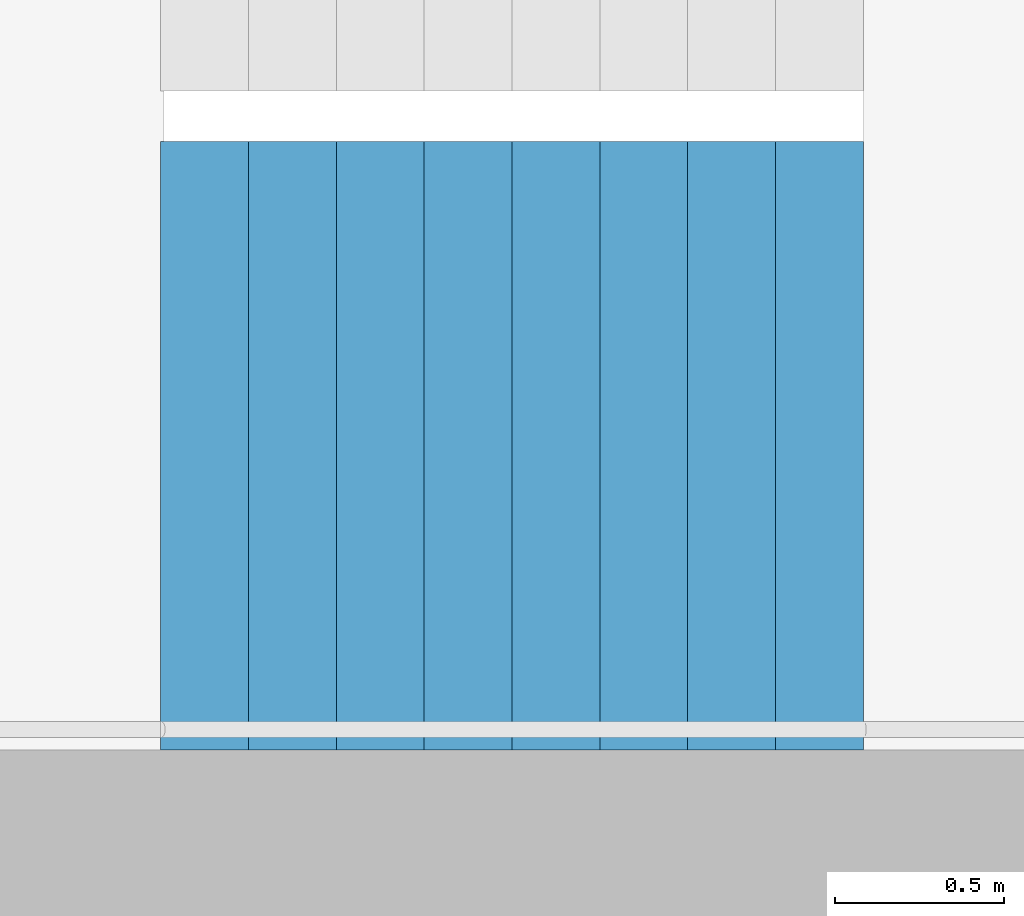
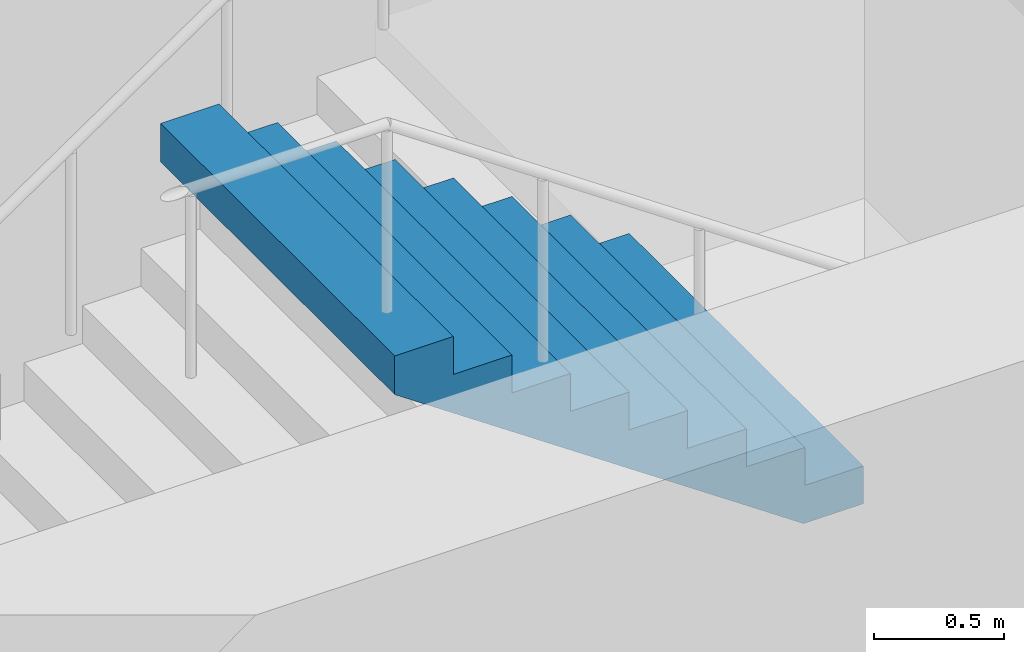
# One storey, part 22 of 26: 1 stair flight, 1 element without a shape of its own.
"""IFC4 building model written with IfcOpenShell, lengths in metres."""

from ifc_helpers import new_model, si_unit, direction, frame, origin, place, context, subcontext, project, spatial, triangles, material, type_object, element, aggregate, save


model = new_model("IFC4")

# Units and contexts
model_context = context("Model", 3, precision=1e-05, world=origin(), true_north=direction((0.0, 1.0)))
body_context = subcontext(model_context, "Body", "Model", "MODEL_VIEW")
ifc_project = project(units=[si_unit("LENGTHUNIT", "METRE"), si_unit("AREAUNIT", "SQUARE_METRE"), si_unit("VOLUMEUNIT", "CUBIC_METRE"), si_unit("PLANEANGLEUNIT", "RADIAN"), si_unit("MASSUNIT", "GRAM", prefix="KILO")], contexts=[model_context])

# Site, building, storey
site_placement = place(None, origin())
site = spatial("IfcSite", under=ifc_project, at=site_placement, CompositionType="ELEMENT")
building_placement = place(site_placement, origin())
building = spatial("IfcBuilding", under=site, at=building_placement, Name="Hakoniwa Tower and Hamabe Station Hall", CompositionType="ELEMENT")
storey_placement = place(building_placement, frame((0.0, 0.0, 199.39990234375)))
storey = spatial("IfcBuildingStorey", under=building, at=storey_placement, Name="L56", CompositionType="ELEMENT", Elevation=199.39990234375)

# Stair, stair flight
ifc_material_1 = material(Name="Concrete C40", Category="concrete")
stair_type = type_object("IfcStairType", Name="ESCAPE STAIR 1800", PredefinedType="HALF_TURN_STAIR", material=ifc_material_1)
stair_placement = place(storey_placement, origin())
stair = element("IfcStair", 1, at=stair_placement, inside=storey, type_object=stair_type, Name="Escape stair ST-4 L56", PredefinedType="HALF_TURN_STAIR")
ifc_material_2 = material(Name="Concrete C40", Category="concrete")
stair_flight_type = type_object("IfcStairFlightType", Name="STAIR FLIGHT 1800", PredefinedType="STRAIGHT", material=ifc_material_2)
stair_flight_placement = place(storey_placement, frame((25.47998046875, -6.60009765625, 1.60009765625), z_axis=(0.0, 0.0, 1.0), x_axis=(-1.0, 0.0, 0.0)))
stair_flight = element("IfcStairFlight", 2, at=stair_flight_placement, type_object=stair_flight_type, Name="ST-4 flight 2", NumberOfRisers=9, NumberOfTreads=8, PredefinedType="STRAIGHT", RiserHeight=0.177777778, TreadLength=0.26, context=body_context, shape_type="Tessellation", body=[
    triangles([(0.0, 0.89990234375, 0.0), (0.260009765625, 0.89990234375, 0.0), (0.265625, 0.89990234375, 0.0), (0.52001953125, 0.89990234375, 0.174072265625), (0.780029296875, 0.89990234375, 0.351806640625), (1.0400390625, 0.89990234375, 0.529541015625), (1.300048828125, 0.89990234375, 0.707275390625), (1.56005859375, 0.89990234375, 0.885009765625), (1.820068359375, 0.89990234375, 1.062744140625), (2.080078125, 0.89990234375, 1.24072265625), (2.080078125, 0.89990234375, 1.422119140625), (1.820068359375, 0.89990234375, 1.422119140625), (1.820068359375, 0.89990234375, 1.244384765625), (1.56005859375, 0.89990234375, 1.244384765625), (1.56005859375, 0.89990234375, 1.066650390625), (1.300048828125, 0.89990234375, 1.066650390625), (1.300048828125, 0.89990234375, 0.888916015625), (1.0400390625, 0.89990234375, 0.888916015625), (1.0400390625, 0.89990234375, 0.711181640625), (0.780029296875, 0.89990234375, 0.711181640625), (0.780029296875, 0.89990234375, 0.533447265625), (0.52001953125, 0.89990234375, 0.533447265625), (0.52001953125, 0.89990234375, 0.35546875), (0.265625, 0.89990234375, 0.35546875), (0.260009765625, 0.89990234375, 0.35546875), (0.260009765625, 0.89990234375, 0.177734375), (0.0, 0.89990234375, 0.177734375), (0.0, 0.06005859375, 0.0), (0.260009765625, 0.06005859375, 0.0), (0.265625, 0.06005859375, 0.0), (0.52001953125, 0.06005859375, 0.174072265625), (0.780029296875, 0.06005859375, 0.351806640625), (1.0400390625, 0.06005859375, 0.529541015625), (1.300048828125, 0.06005859375, 0.707275390625), (1.56005859375, 0.06005859375, 0.885009765625), (1.820068359375, 0.06005859375, 1.062744140625), (2.080078125, 0.06005859375, 1.24072265625), (2.080078125, 0.06005859375, 1.422119140625), (1.820068359375, 0.06005859375, 1.422119140625), (1.820068359375, 0.06005859375, 1.244384765625), (1.56005859375, 0.06005859375, 1.244384765625), (1.56005859375, 0.06005859375, 1.066650390625), (1.300048828125, 0.06005859375, 1.066650390625), (1.300048828125, 0.06005859375, 0.888916015625), (1.0400390625, 0.06005859375, 0.888916015625), (1.0400390625, 0.06005859375, 0.711181640625), (0.780029296875, 0.06005859375, 0.711181640625), (0.780029296875, 0.06005859375, 0.533447265625), (0.52001953125, 0.06005859375, 0.533447265625), (0.52001953125, 0.06005859375, 0.35546875), (0.265625, 0.06005859375, 0.35546875), (0.260009765625, 0.06005859375, 0.35546875), (0.260009765625, 0.06005859375, 0.177734375), (0.0, 0.06005859375, 0.177734375), (0.0, 0.04296875, 0.0), (0.260009765625, 0.04296875, 0.0), (0.265625, 0.04296875, 0.0), (0.52001953125, 0.04296875, 0.174072265625), (0.780029296875, 0.04296875, 0.351806640625), (1.0400390625, 0.04296875, 0.529541015625), (1.300048828125, 0.04296875, 0.707275390625), (1.56005859375, 0.04296875, 0.885009765625), (1.820068359375, 0.04296875, 1.062744140625), (2.080078125, 0.04296875, 1.24072265625), (2.080078125, 0.04296875, 1.422119140625), (1.820068359375, 0.04296875, 1.422119140625), (1.820068359375, 0.04296875, 1.244384765625), (1.56005859375, 0.04296875, 1.244384765625), (1.56005859375, 0.04296875, 1.066650390625), (1.300048828125, 0.04296875, 1.066650390625), (1.300048828125, 0.04296875, 0.888916015625), (1.0400390625, 0.04296875, 0.888916015625), (1.0400390625, 0.04296875, 0.711181640625), (0.780029296875, 0.04296875, 0.711181640625), (0.780029296875, 0.04296875, 0.533447265625), (0.52001953125, 0.04296875, 0.533447265625), (0.52001953125, 0.04296875, 0.35546875), (0.265625, 0.04296875, 0.35546875), (0.260009765625, 0.04296875, 0.35546875), (0.260009765625, 0.04296875, 0.177734375), (0.0, 0.04296875, 0.177734375), (0.0, 0.025634765625, 0.0), (0.260009765625, 0.025634765625, 0.0), (0.265625, 0.025634765625, 0.0), (0.52001953125, 0.025634765625, 0.174072265625), (0.780029296875, 0.025634765625, 0.351806640625), (1.0400390625, 0.025634765625, 0.529541015625), (1.300048828125, 0.025634765625, 0.707275390625), (1.56005859375, 0.025634765625, 0.885009765625), (1.820068359375, 0.025634765625, 1.062744140625), (2.080078125, 0.025634765625, 1.24072265625), (2.080078125, 0.025634765625, 1.422119140625), (1.820068359375, 0.025634765625, 1.422119140625), (1.820068359375, 0.025634765625, 1.244384765625), (1.56005859375, 0.025634765625, 1.244384765625), (1.56005859375, 0.025634765625, 1.066650390625), (1.300048828125, 0.025634765625, 1.066650390625), (1.300048828125, 0.025634765625, 0.888916015625), (1.0400390625, 0.025634765625, 0.888916015625), (1.0400390625, 0.025634765625, 0.711181640625), (0.780029296875, 0.025634765625, 0.711181640625), (0.780029296875, 0.025634765625, 0.533447265625), (0.52001953125, 0.025634765625, 0.533447265625), (0.52001953125, 0.025634765625, 0.35546875), (0.265625, 0.025634765625, 0.35546875), (0.260009765625, 0.025634765625, 0.35546875), (0.260009765625, 0.025634765625, 0.177734375), (0.0, 0.025634765625, 0.177734375), (0.0, 0.008544921875, 0.0), (0.260009765625, 0.008544921875, 0.0), (0.265625, 0.008544921875, 0.0), (0.52001953125, 0.008544921875, 0.174072265625), (0.780029296875, 0.008544921875, 0.351806640625), (1.0400390625, 0.008544921875, 0.529541015625), (1.300048828125, 0.008544921875, 0.707275390625), (1.56005859375, 0.008544921875, 0.885009765625), (1.820068359375, 0.008544921875, 1.062744140625), (2.080078125, 0.008544921875, 1.24072265625), (2.080078125, 0.008544921875, 1.422119140625), (1.820068359375, 0.008544921875, 1.422119140625), (1.820068359375, 0.008544921875, 1.244384765625), (1.56005859375, 0.008544921875, 1.244384765625), (1.56005859375, 0.008544921875, 1.066650390625), (1.300048828125, 0.008544921875, 1.066650390625), (1.300048828125, 0.008544921875, 0.888916015625), (1.0400390625, 0.008544921875, 0.888916015625), (1.0400390625, 0.008544921875, 0.711181640625), (0.780029296875, 0.008544921875, 0.711181640625), (0.780029296875, 0.008544921875, 0.533447265625), (0.52001953125, 0.008544921875, 0.533447265625), (0.52001953125, 0.008544921875, 0.35546875), (0.265625, 0.008544921875, 0.35546875), (0.260009765625, 0.008544921875, 0.35546875), (0.260009765625, 0.008544921875, 0.177734375), (0.0, 0.008544921875, 0.177734375), (0.0, -0.008544921875, 0.0), (0.260009765625, -0.008544921875, 0.0), (0.265625, -0.008544921875, 0.0), (0.52001953125, -0.008544921875, 0.174072265625), (0.780029296875, -0.008544921875, 0.351806640625), (1.0400390625, -0.008544921875, 0.529541015625), (1.300048828125, -0.008544921875, 0.707275390625), (1.56005859375, -0.008544921875, 0.885009765625), (1.820068359375, -0.008544921875, 1.062744140625), (2.080078125, -0.008544921875, 1.24072265625), (2.080078125, -0.008544921875, 1.422119140625), (1.820068359375, -0.008544921875, 1.422119140625), (1.820068359375, -0.008544921875, 1.244384765625), (1.56005859375, -0.008544921875, 1.244384765625), (1.56005859375, -0.008544921875, 1.066650390625), (1.300048828125, -0.008544921875, 1.066650390625), (1.300048828125, -0.008544921875, 0.888916015625), (1.0400390625, -0.008544921875, 0.888916015625), (1.0400390625, -0.008544921875, 0.711181640625), (0.780029296875, -0.008544921875, 0.711181640625), (0.780029296875, -0.008544921875, 0.533447265625), (0.52001953125, -0.008544921875, 0.533447265625), (0.52001953125, -0.008544921875, 0.35546875), (0.265625, -0.008544921875, 0.35546875), (0.260009765625, -0.008544921875, 0.35546875), (0.260009765625, -0.008544921875, 0.177734375), (0.0, -0.008544921875, 0.177734375), (0.0, -0.025634765625, 0.0), (0.260009765625, -0.025634765625, 0.0), (0.265625, -0.025634765625, 0.0), (0.52001953125, -0.025634765625, 0.174072265625), (0.780029296875, -0.025634765625, 0.351806640625), (1.0400390625, -0.025634765625, 0.529541015625), (1.300048828125, -0.025634765625, 0.707275390625), (1.56005859375, -0.025634765625, 0.885009765625), (1.820068359375, -0.025634765625, 1.062744140625), (2.080078125, -0.025634765625, 1.24072265625), (2.080078125, -0.025634765625, 1.422119140625), (1.820068359375, -0.025634765625, 1.422119140625), (1.820068359375, -0.025634765625, 1.244384765625), (1.56005859375, -0.025634765625, 1.244384765625), (1.56005859375, -0.025634765625, 1.066650390625), (1.300048828125, -0.025634765625, 1.066650390625), (1.300048828125, -0.025634765625, 0.888916015625), (1.0400390625, -0.025634765625, 0.888916015625), (1.0400390625, -0.025634765625, 0.711181640625), (0.780029296875, -0.025634765625, 0.711181640625), (0.780029296875, -0.025634765625, 0.533447265625), (0.52001953125, -0.025634765625, 0.533447265625), (0.52001953125, -0.025634765625, 0.35546875), (0.265625, -0.025634765625, 0.35546875), (0.260009765625, -0.025634765625, 0.35546875), (0.260009765625, -0.025634765625, 0.177734375), (0.0, -0.025634765625, 0.177734375), (0.0, -0.04296875, 0.0), (0.260009765625, -0.04296875, 0.0), (0.265625, -0.04296875, 0.0), (0.52001953125, -0.04296875, 0.174072265625), (0.780029296875, -0.04296875, 0.351806640625), (1.0400390625, -0.04296875, 0.529541015625), (1.300048828125, -0.04296875, 0.707275390625), (1.56005859375, -0.04296875, 0.885009765625), (1.820068359375, -0.04296875, 1.062744140625), (2.080078125, -0.04296875, 1.24072265625), (2.080078125, -0.04296875, 1.422119140625), (1.820068359375, -0.04296875, 1.422119140625), (1.820068359375, -0.04296875, 1.244384765625), (1.56005859375, -0.04296875, 1.244384765625), (1.56005859375, -0.04296875, 1.066650390625), (1.300048828125, -0.04296875, 1.066650390625), (1.300048828125, -0.04296875, 0.888916015625), (1.0400390625, -0.04296875, 0.888916015625), (1.0400390625, -0.04296875, 0.711181640625), (0.780029296875, -0.04296875, 0.711181640625), (0.780029296875, -0.04296875, 0.533447265625), (0.52001953125, -0.04296875, 0.533447265625), (0.52001953125, -0.04296875, 0.35546875), (0.265625, -0.04296875, 0.35546875), (0.260009765625, -0.04296875, 0.35546875), (0.260009765625, -0.04296875, 0.177734375), (0.0, -0.04296875, 0.177734375), (0.0, -0.06005859375, 0.0), (0.260009765625, -0.06005859375, 0.0), (0.265625, -0.06005859375, 0.0), (0.52001953125, -0.06005859375, 0.174072265625), (0.780029296875, -0.06005859375, 0.351806640625), (1.0400390625, -0.06005859375, 0.529541015625), (1.300048828125, -0.06005859375, 0.707275390625), (1.56005859375, -0.06005859375, 0.885009765625), (1.820068359375, -0.06005859375, 1.062744140625), (2.080078125, -0.06005859375, 1.24072265625), (2.080078125, -0.06005859375, 1.422119140625), (1.820068359375, -0.06005859375, 1.422119140625), (1.820068359375, -0.06005859375, 1.244384765625), (1.56005859375, -0.06005859375, 1.244384765625), (1.56005859375, -0.06005859375, 1.066650390625), (1.300048828125, -0.06005859375, 1.066650390625), (1.300048828125, -0.06005859375, 0.888916015625), (1.0400390625, -0.06005859375, 0.888916015625), (1.0400390625, -0.06005859375, 0.711181640625), (0.780029296875, -0.06005859375, 0.711181640625), (0.780029296875, -0.06005859375, 0.533447265625), (0.52001953125, -0.06005859375, 0.533447265625), (0.52001953125, -0.06005859375, 0.35546875), (0.265625, -0.06005859375, 0.35546875), (0.260009765625, -0.06005859375, 0.35546875), (0.260009765625, -0.06005859375, 0.177734375), (0.0, -0.06005859375, 0.177734375), (0.0, -0.89990234375, 0.0), (0.260009765625, -0.89990234375, 0.0), (0.265625, -0.89990234375, 0.0), (0.52001953125, -0.89990234375, 0.174072265625), (0.780029296875, -0.89990234375, 0.351806640625), (1.0400390625, -0.89990234375, 0.529541015625), (1.300048828125, -0.89990234375, 0.707275390625), (1.56005859375, -0.89990234375, 0.885009765625), (1.820068359375, -0.89990234375, 1.062744140625), (2.080078125, -0.89990234375, 1.24072265625), (2.080078125, -0.89990234375, 1.422119140625), (1.820068359375, -0.89990234375, 1.422119140625), (1.820068359375, -0.89990234375, 1.244384765625), (1.56005859375, -0.89990234375, 1.244384765625), (1.56005859375, -0.89990234375, 1.066650390625), (1.300048828125, -0.89990234375, 1.066650390625), (1.300048828125, -0.89990234375, 0.888916015625), (1.0400390625, -0.89990234375, 0.888916015625), (1.0400390625, -0.89990234375, 0.711181640625), (0.780029296875, -0.89990234375, 0.711181640625), (0.780029296875, -0.89990234375, 0.533447265625), (0.52001953125, -0.89990234375, 0.533447265625), (0.52001953125, -0.89990234375, 0.35546875), (0.265625, -0.89990234375, 0.35546875), (0.260009765625, -0.89990234375, 0.35546875), (0.260009765625, -0.89990234375, 0.177734375), (0.0, -0.89990234375, 0.177734375)], [[2, 27, 26], [245, 269, 270], [2, 1, 27], [245, 270, 244], [3, 25, 24], [246, 267, 268], [3, 26, 25], [246, 268, 269], [3, 2, 26], [246, 269, 245], [4, 24, 23], [247, 266, 267], [4, 3, 24], [247, 267, 246], [5, 22, 21], [248, 264, 265], [5, 23, 22], [248, 265, 266], [5, 4, 23], [248, 266, 247], [6, 20, 19], [249, 262, 263], [6, 21, 20], [249, 263, 264], [6, 5, 21], [249, 264, 248], [7, 18, 17], [250, 260, 261], [7, 19, 18], [250, 261, 262], [7, 6, 19], [250, 262, 249], [8, 16, 15], [251, 258, 259], [8, 17, 16], [251, 259, 260], [8, 7, 17], [251, 260, 250], [9, 14, 13], [252, 256, 257], [9, 15, 14], [252, 257, 258], [9, 8, 15], [252, 258, 251], [10, 12, 11], [253, 254, 255], [10, 13, 12], [253, 255, 256], [10, 9, 13], [253, 256, 252], [1, 2, 29], [1, 29, 28], [28, 29, 56], [28, 56, 55], [55, 56, 83], [55, 83, 82], [82, 83, 110], [82, 110, 109], [109, 110, 137], [109, 137, 136], [136, 137, 164], [136, 164, 163], [163, 164, 191], [163, 191, 190], [190, 191, 218], [190, 218, 217], [217, 218, 245], [217, 245, 244], [2, 3, 30], [2, 30, 29], [29, 30, 57], [29, 57, 56], [56, 57, 84], [56, 84, 83], [83, 84, 111], [83, 111, 110], [110, 111, 138], [110, 138, 137], [137, 138, 165], [137, 165, 164], [164, 165, 192], [164, 192, 191], [191, 192, 219], [191, 219, 218], [218, 219, 246], [218, 246, 245], [3, 4, 31], [3, 31, 30], [30, 31, 58], [30, 58, 57], [57, 58, 85], [57, 85, 84], [84, 85, 112], [84, 112, 111], [111, 112, 139], [111, 139, 138], [138, 139, 166], [138, 166, 165], [165, 166, 193], [165, 193, 192], [192, 193, 220], [192, 220, 219], [219, 220, 247], [219, 247, 246], [4, 5, 32], [4, 32, 31], [31, 32, 59], [31, 59, 58], [58, 59, 86], [58, 86, 85], [85, 86, 113], [85, 113, 112], [112, 113, 140], [112, 140, 139], [139, 140, 167], [139, 167, 166], [166, 167, 194], [166, 194, 193], [193, 194, 221], [193, 221, 220], [220, 221, 248], [220, 248, 247], [5, 6, 33], [5, 33, 32], [32, 33, 60], [32, 60, 59], [59, 60, 87], [59, 87, 86], [86, 87, 114], [86, 114, 113], [113, 114, 141], [113, 141, 140], [140, 141, 168], [140, 168, 167], [167, 168, 195], [167, 195, 194], [194, 195, 222], [194, 222, 221], [221, 222, 249], [221, 249, 248], [6, 7, 34], [6, 34, 33], [33, 34, 61], [33, 61, 60], [60, 61, 88], [60, 88, 87], [87, 88, 115], [87, 115, 114], [114, 115, 142], [114, 142, 141], [141, 142, 169], [141, 169, 168], [168, 169, 196], [168, 196, 195], [195, 196, 223], [195, 223, 222], [222, 223, 250], [222, 250, 249], [7, 8, 35], [7, 35, 34], [34, 35, 62], [34, 62, 61], [61, 62, 89], [61, 89, 88], [88, 89, 116], [88, 116, 115], [115, 116, 143], [115, 143, 142], [142, 143, 170], [142, 170, 169], [169, 170, 197], [169, 197, 196], [196, 197, 224], [196, 224, 223], [223, 224, 251], [223, 251, 250], [8, 9, 36], [8, 36, 35], [35, 36, 63], [35, 63, 62], [62, 63, 90], [62, 90, 89], [89, 90, 117], [89, 117, 116], [116, 117, 144], [116, 144, 143], [143, 144, 171], [143, 171, 170], [170, 171, 198], [170, 198, 197], [197, 198, 225], [197, 225, 224], [224, 225, 252], [224, 252, 251], [9, 10, 37], [9, 37, 36], [36, 37, 64], [36, 64, 63], [63, 64, 91], [63, 91, 90], [90, 91, 118], [90, 118, 117], [117, 118, 145], [117, 145, 144], [144, 145, 172], [144, 172, 171], [171, 172, 199], [171, 199, 198], [198, 199, 226], [198, 226, 225], [225, 226, 253], [225, 253, 252], [10, 11, 38], [10, 38, 37], [37, 38, 65], [37, 65, 64], [64, 65, 92], [64, 92, 91], [91, 92, 119], [91, 119, 118], [118, 119, 146], [118, 146, 145], [145, 146, 173], [145, 173, 172], [172, 173, 200], [172, 200, 199], [199, 200, 227], [199, 227, 226], [226, 227, 254], [226, 254, 253], [11, 12, 39], [11, 39, 38], [38, 39, 66], [38, 66, 65], [65, 66, 93], [65, 93, 92], [92, 93, 120], [92, 120, 119], [119, 120, 147], [119, 147, 146], [146, 147, 174], [146, 174, 173], [173, 174, 201], [173, 201, 200], [200, 201, 228], [200, 228, 227], [227, 228, 255], [227, 255, 254], [12, 13, 40], [12, 40, 39], [39, 40, 67], [39, 67, 66], [66, 67, 94], [66, 94, 93], [93, 94, 121], [93, 121, 120], [120, 121, 148], [120, 148, 147], [147, 148, 175], [147, 175, 174], [174, 175, 202], [174, 202, 201], [201, 202, 229], [201, 229, 228], [228, 229, 256], [228, 256, 255], [13, 14, 41], [13, 41, 40], [40, 41, 68], [40, 68, 67], [67, 68, 95], [67, 95, 94], [94, 95, 122], [94, 122, 121], [121, 122, 149], [121, 149, 148], [148, 149, 176], [148, 176, 175], [175, 176, 203], [175, 203, 202], [202, 203, 230], [202, 230, 229], [229, 230, 257], [229, 257, 256], [14, 15, 42], [14, 42, 41], [41, 42, 69], [41, 69, 68], [68, 69, 96], [68, 96, 95], [95, 96, 123], [95, 123, 122], [122, 123, 150], [122, 150, 149], [149, 150, 177], [149, 177, 176], [176, 177, 204], [176, 204, 203], [203, 204, 231], [203, 231, 230], [230, 231, 258], [230, 258, 257], [15, 16, 43], [15, 43, 42], [42, 43, 70], [42, 70, 69], [69, 70, 97], [69, 97, 96], [96, 97, 124], [96, 124, 123], [123, 124, 151], [123, 151, 150], [150, 151, 178], [150, 178, 177], [177, 178, 205], [177, 205, 204], [204, 205, 232], [204, 232, 231], [231, 232, 259], [231, 259, 258], [16, 17, 44], [16, 44, 43], [43, 44, 71], [43, 71, 70], [70, 71, 98], [70, 98, 97], [97, 98, 125], [97, 125, 124], [124, 125, 152], [124, 152, 151], [151, 152, 179], [151, 179, 178], [178, 179, 206], [178, 206, 205], [205, 206, 233], [205, 233, 232], [232, 233, 260], [232, 260, 259], [17, 18, 45], [17, 45, 44], [44, 45, 72], [44, 72, 71], [71, 72, 99], [71, 99, 98], [98, 99, 126], [98, 126, 125], [125, 126, 153], [125, 153, 152], [152, 153, 180], [152, 180, 179], [179, 180, 207], [179, 207, 206], [206, 207, 234], [206, 234, 233], [233, 234, 261], [233, 261, 260], [18, 19, 46], [18, 46, 45], [45, 46, 73], [45, 73, 72], [72, 73, 100], [72, 100, 99], [99, 100, 127], [99, 127, 126], [126, 127, 154], [126, 154, 153], [153, 154, 181], [153, 181, 180], [180, 181, 208], [180, 208, 207], [207, 208, 235], [207, 235, 234], [234, 235, 262], [234, 262, 261], [19, 20, 47], [19, 47, 46], [46, 47, 74], [46, 74, 73], [73, 74, 101], [73, 101, 100], [100, 101, 128], [100, 128, 127], [127, 128, 155], [127, 155, 154], [154, 155, 182], [154, 182, 181], [181, 182, 209], [181, 209, 208], [208, 209, 236], [208, 236, 235], [235, 236, 263], [235, 263, 262], [20, 21, 48], [20, 48, 47], [47, 48, 75], [47, 75, 74], [74, 75, 102], [74, 102, 101], [101, 102, 129], [101, 129, 128], [128, 129, 156], [128, 156, 155], [155, 156, 183], [155, 183, 182], [182, 183, 210], [182, 210, 209], [209, 210, 237], [209, 237, 236], [236, 237, 264], [236, 264, 263], [21, 22, 49], [21, 49, 48], [48, 49, 76], [48, 76, 75], [75, 76, 103], [75, 103, 102], [102, 103, 130], [102, 130, 129], [129, 130, 157], [129, 157, 156], [156, 157, 184], [156, 184, 183], [183, 184, 211], [183, 211, 210], [210, 211, 238], [210, 238, 237], [237, 238, 265], [237, 265, 264], [22, 23, 50], [22, 50, 49], [49, 50, 77], [49, 77, 76], [76, 77, 104], [76, 104, 103], [103, 104, 131], [103, 131, 130], [130, 131, 158], [130, 158, 157], [157, 158, 185], [157, 185, 184], [184, 185, 212], [184, 212, 211], [211, 212, 239], [211, 239, 238], [238, 239, 266], [238, 266, 265], [23, 24, 51], [23, 51, 50], [50, 51, 78], [50, 78, 77], [77, 78, 105], [77, 105, 104], [104, 105, 132], [104, 132, 131], [131, 132, 159], [131, 159, 158], [158, 159, 186], [158, 186, 185], [185, 186, 213], [185, 213, 212], [212, 213, 240], [212, 240, 239], [239, 240, 267], [239, 267, 266], [24, 25, 52], [24, 52, 51], [51, 52, 79], [51, 79, 78], [78, 79, 106], [78, 106, 105], [105, 106, 133], [105, 133, 132], [132, 133, 160], [132, 160, 159], [159, 160, 187], [159, 187, 186], [186, 187, 214], [186, 214, 213], [213, 214, 241], [213, 241, 240], [240, 241, 268], [240, 268, 267], [25, 26, 53], [25, 53, 52], [52, 53, 80], [52, 80, 79], [79, 80, 107], [79, 107, 106], [106, 107, 134], [106, 134, 133], [133, 134, 161], [133, 161, 160], [160, 161, 188], [160, 188, 187], [187, 188, 215], [187, 215, 214], [214, 215, 242], [214, 242, 241], [241, 242, 269], [241, 269, 268], [26, 27, 54], [26, 54, 53], [53, 54, 81], [53, 81, 80], [80, 81, 108], [80, 108, 107], [107, 108, 135], [107, 135, 134], [134, 135, 162], [134, 162, 161], [161, 162, 189], [161, 189, 188], [188, 189, 216], [188, 216, 215], [215, 216, 243], [215, 243, 242], [242, 243, 270], [242, 270, 269], [27, 1, 28], [27, 28, 54], [54, 28, 55], [54, 55, 81], [81, 55, 82], [81, 82, 108], [108, 82, 109], [108, 109, 135], [135, 109, 136], [135, 136, 162], [162, 136, 163], [162, 163, 189], [189, 163, 190], [189, 190, 216], [216, 190, 217], [216, 217, 243], [243, 217, 244], [243, 244, 270]], closed=True),
])
aggregate(stair, [stair_flight])

save(model, "model.ifc")
